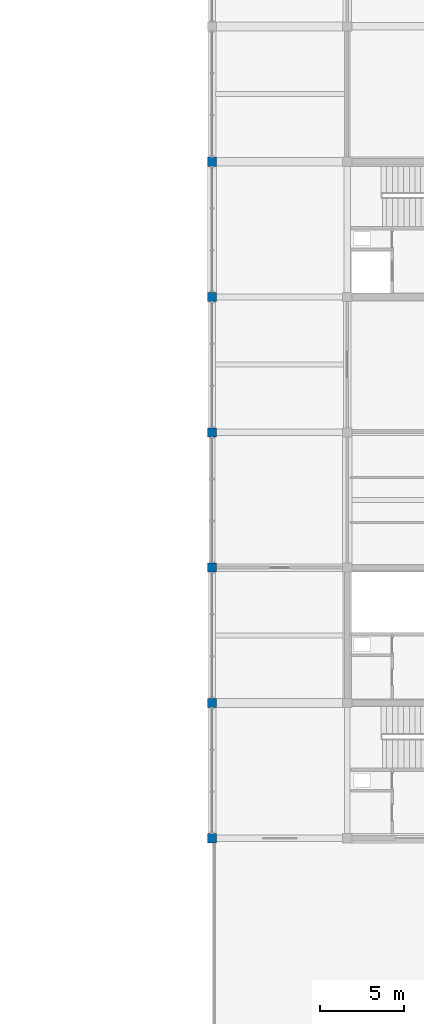
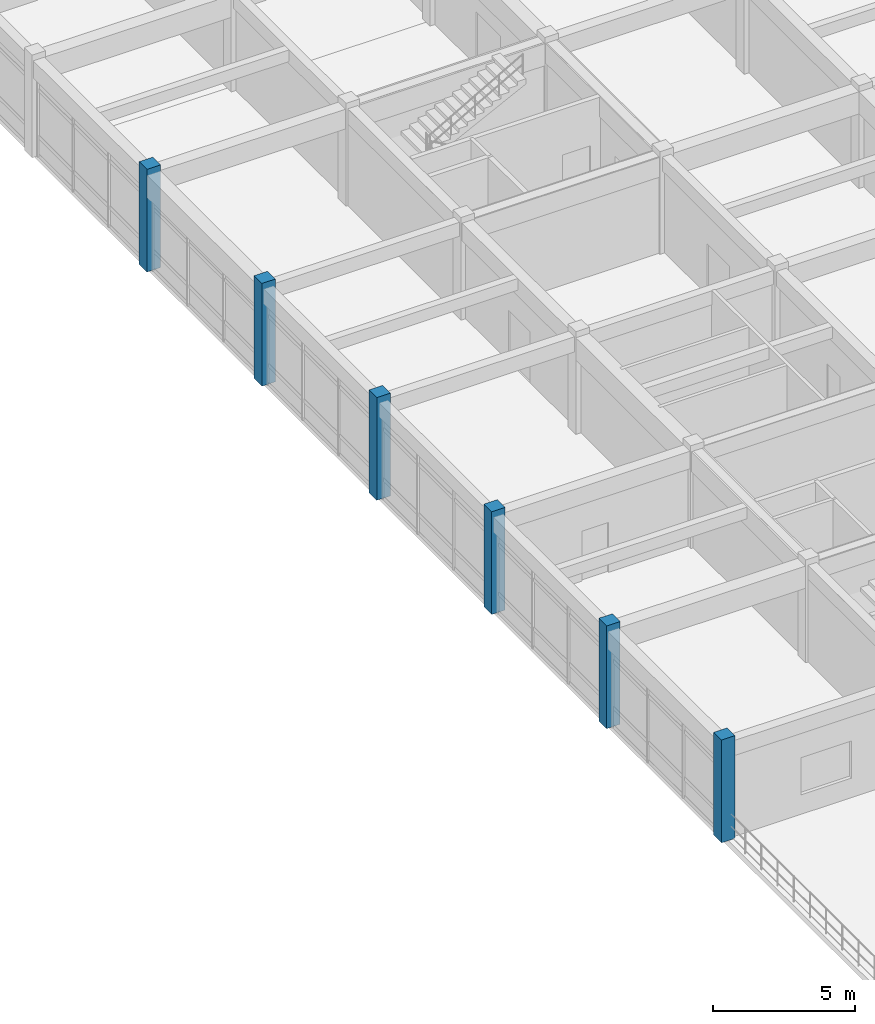
# One storey, part 1 of 33: 6 columns.
"""IFC4 building model written with IfcOpenShell, lengths in metres."""

import ifcopenshell
import ifcopenshell.guid

model = None  # the IFC model being written
_history = None  # IfcOwnerHistory: only IFC2X3 demands one
_inside = {}  # id of a spatial element -> (the spatial element, [elements in it])
_under = {}  # id of a project, library or spatial element -> (it, [spatial elements below it])
_declared = {}  # id of a project -> (the project, [libraries it declares])
_typed = {}  # id of a type object -> (the type object, [elements of that type])
_made_of = {}  # id of a material, layer set ... -> (it, [elements and type objects made of it])


def new_model(schema):
    """Start an empty IFC model of exactly this schema.

    Asked for "IFC4X3", IfcOpenShell would pick the latest addendum, in which some entities
    have other attributes; the version numbers below select the first issue.
    IFC2X3 requires an IfcOwnerHistory on every rooted entity: one is made here for all.
    """
    global model, _history
    if schema == "IFC4X3":
        model = ifcopenshell.file(schema_version=(4, 3, 0, 0))
    else:
        model = ifcopenshell.file(schema=schema)
    _inside.clear()
    _under.clear()
    _declared.clear()
    _typed.clear()
    _made_of.clear()
    _history = None
    if model.schema == "IFC2X3":
        org = make("IfcOrganization", Name="unknown")
        user = make(
            "IfcPersonAndOrganization",
            ThePerson=make("IfcPerson", FamilyName="unknown"),
            TheOrganization=org,
        )
        app = make(
            "IfcApplication",
            ApplicationDeveloper=org,
            Version="unknown",
            ApplicationFullName="unknown",
            ApplicationIdentifier="unknown",
        )
        _history = make(
            "IfcOwnerHistory",
            OwningUser=user,
            OwningApplication=app,
            ChangeAction="ADDED",
            CreationDate=0,
        )
    return model


def make(cls, **values):
    """One entity of the class cls with the attributes given. An attribute that is None is left unset."""
    return model.create_entity(
        cls, **{name: value for name, value in values.items() if value is not None}
    )


def rooted(cls, **values):
    """An entity with a GlobalId (a new one), such as an element, a storey or a relation."""
    return make(cls, GlobalId=ifcopenshell.guid.new(), OwnerHistory=_history, **values)


def si_unit(unit_type, name, prefix=None):
    """IfcSIUnit, for example si_unit("LENGTHUNIT", "METRE", prefix="MILLI")."""
    return make("IfcSIUnit", UnitType=unit_type, Prefix=prefix, Name=name)


def assignment(units):
    """IfcUnitAssignment: the units of a project."""
    return None if units is None else make("IfcUnitAssignment", Units=units)


def point(xyz):
    """IfcCartesianPoint."""
    return None if xyz is None else make("IfcCartesianPoint", Coordinates=xyz)


def direction(xyz):
    """IfcDirection."""
    return None if xyz is None else make("IfcDirection", DirectionRatios=xyz)


def frame(location, z_axis=None, x_axis=None):
    """IfcAxis2Placement3D, a coordinate frame: its origin and axes. An axis left out is left unset."""
    return make(
        "IfcAxis2Placement3D",
        Location=point(location),
        Axis=direction(z_axis),
        RefDirection=direction(x_axis),
    )


def frame_2d(location, x_axis=None):
    """IfcAxis2Placement2D, a coordinate frame in the plane: its origin and x axis."""
    return make(
        "IfcAxis2Placement2D", Location=point(location), RefDirection=direction(x_axis)
    )


def origin():
    """The frame at (0, 0, 0) with its axes left unset."""
    return frame((0.0, 0.0, 0.0))


def origin_2d():
    """The frame at (0, 0) in the plane with its x axis left unset."""
    return frame_2d((0.0, 0.0))


def place(relative_to, where):
    """IfcLocalPlacement: puts the frame where relative to a parent placement (None: the world)."""
    return make(
        "IfcLocalPlacement", PlacementRelTo=relative_to, RelativePlacement=where
    )


def context(
    kind, dimensions, precision=None, world=None, true_north=None, identifier=None
):
    """IfcGeometricRepresentationContext, for example the 3D "Model" context."""
    return make(
        "IfcGeometricRepresentationContext",
        ContextIdentifier=identifier,
        ContextType=kind,
        CoordinateSpaceDimension=dimensions,
        Precision=precision,
        WorldCoordinateSystem=world,
        TrueNorth=true_north,
    )


def subcontext(parent, identifier, kind, view, scale=None):
    """IfcGeometricRepresentationSubContext, for example "Body" below "Model"."""
    return make(
        "IfcGeometricRepresentationSubContext",
        ContextIdentifier=identifier,
        ContextType=kind,
        ParentContext=parent,
        TargetScale=scale,
        TargetView=view,
    )


def project(units=None, contexts=None):
    """IfcProject with its units and contexts."""
    return rooted(
        "IfcProject",
        Name="project",
        RepresentationContexts=contexts,
        UnitsInContext=assignment(units),
    )


def spatial(cls, under=None, at=None, **own):
    """A site, building, storey or space (cls), placed at a placement, below another one or the project."""
    s = rooted(cls, ObjectPlacement=at, **own)
    if under is not None:
        _under.setdefault(under.id(), (under, []))[1].append(s)
    return s


def profile(cls, at=None, kind="AREA", **sizes):
    """A parametric profile (cls). Its sizes go by their IFC names, for example OverallWidth=200.0."""
    return make(cls, ProfileType=kind, Position=at, **sizes)


def rectangle(**sizes):
    """IfcRectangleProfileDef."""
    return profile("IfcRectangleProfileDef", **sizes)


def extrude(swept, where, along, depth):
    """IfcExtrudedAreaSolid: the profile swept, set in the frame where, extruded along a direction by depth."""
    return make(
        "IfcExtrudedAreaSolid",
        SweptArea=swept,
        Position=where,
        ExtrudedDirection=direction(along),
        Depth=depth,
    )


def shape(context_of_items, identifier, shape_type, items):
    """IfcShapeRepresentation: the items that make up one representation, for example the "Body"."""
    return make(
        "IfcShapeRepresentation",
        ContextOfItems=context_of_items,
        RepresentationIdentifier=identifier,
        RepresentationType=shape_type,
        Items=items,
    )


def material(Name=None, Category=None):
    """IfcMaterial."""
    return make("IfcMaterial", Name=Name, Category=Category)


def material_profile(
    of_material, cross_section, Name=None, Category=None, Priority=None
):
    """IfcMaterialProfile: a cross section and its material."""
    return make(
        "IfcMaterialProfile",
        Name=Name,
        Material=of_material,
        Profile=cross_section,
        Priority=Priority,
        Category=Category,
    )


def profile_set(profiles, Name=None, composite=None):
    """IfcMaterialProfileSet."""
    return make(
        "IfcMaterialProfileSet",
        Name=Name,
        MaterialProfiles=profiles,
        CompositeProfile=composite,
    )


def made_of(thing, what):
    """Note that an element or type object is made of a material, layer set ...; save() writes the relation."""
    if what is not None:
        _made_of.setdefault(what.id(), (what, []))[1].append(thing)
    return thing


def type_object(cls, material=None, **own):
    """A type object (cls), such as IfcWallType, which elements share."""
    return made_of(rooted(cls, **own), material)


def element(
    cls,
    number,
    at=None,
    inside=None,
    cuts=None,
    type_object=None,
    material=None,
    context=None,
    identifier="Body",
    shape_type=None,
    held_by="IfcProductDefinitionShape",
    body=None,
    shapes=None,
    **own,
):
    """One element of the class cls, such as IfcWall. Its Tag is "e" and its number.

    at: its placement. inside: the storey or other place that contains it. cuts: it is an
    opening in that element (IfcRelVoidsElement). A single representation is given by context,
    identifier, shape_type and body (its items); several are given by shapes. held_by: the class
    of the entity that holds the representations. save() writes the other relations.
    """
    e = rooted(cls, Tag="e%d" % number, ObjectPlacement=at, **own)
    if body is not None:
        shapes = [shape(context, identifier, shape_type, body)]
    if shapes is not None:
        e.Representation = make(held_by, Representations=shapes)
    if inside is not None:
        _inside.setdefault(inside.id(), (inside, []))[1].append(e)
    if cuts is not None:
        rooted(
            "IfcRelVoidsElement", RelatingBuildingElement=cuts, RelatedOpeningElement=e
        )
    if type_object is not None:
        _typed.setdefault(type_object.id(), (type_object, []))[1].append(e)
    return made_of(e, material)


def aggregate(whole, parts):
    """IfcRelAggregates: a whole, such as a stair, and the parts it consists of."""
    return rooted("IfcRelAggregates", RelatingObject=whole, RelatedObjects=parts)


def save(model, path):
    """Write the relations noted so far, then the file.

    IfcRelAggregates (storeys below a building ...), IfcRelContainedInSpatialStructure (elements
    in a storey), IfcRelDefinesByType, IfcRelAssociatesMaterial and IfcRelDeclares: one each for
    every whole, place, type object, material and project.
    """
    for whole, parts in _under.values():
        aggregate(whole, parts)
    for where, things in _inside.values():
        rooted(
            "IfcRelContainedInSpatialStructure",
            RelatedElements=things,
            RelatingStructure=where,
        )
    for kind, things in _typed.values():
        rooted("IfcRelDefinesByType", RelatedObjects=things, RelatingType=kind)
    for what, things in _made_of.values():
        rooted("IfcRelAssociatesMaterial", RelatedObjects=things, RelatingMaterial=what)
    for by, libraries in _declared.values():
        rooted("IfcRelDeclares", RelatingContext=by, RelatedDefinitions=libraries)
    model.write(path)


model = new_model("IFC4")

# Units and contexts
model_context = context("Model", 3, precision=1e-05, world=origin(), true_north=direction((0.0, 1.0)))
body_context = subcontext(model_context, "Body", "Model", "MODEL_VIEW")
ifc_project = project(units=[si_unit("LENGTHUNIT", "METRE"), si_unit("AREAUNIT", "SQUARE_METRE"), si_unit("VOLUMEUNIT", "CUBIC_METRE"), si_unit("PLANEANGLEUNIT", "RADIAN"), si_unit("MASSUNIT", "GRAM", prefix="KILO")], contexts=[model_context])

# Site, building, storey
site_placement = place(None, origin())
site = spatial("IfcSite", under=ifc_project, at=site_placement, CompositionType="ELEMENT")
building_placement = place(site_placement, origin())
building = spatial("IfcBuilding", under=site, at=building_placement, Name="Vaudrelin Polytechnic", CompositionType="ELEMENT")
storey_placement = place(building_placement, frame((0.0, 0.0, 27.3701171875)))
storey = spatial("IfcBuildingStorey", under=building, at=storey_placement, Name="L06", CompositionType="ELEMENT", Elevation=27.3701171875)

# Columns
ifc_material = material(Name="Concrete 40 MPa", Category="concrete")
ifc_material_profile = material_profile(ifc_material, rectangle(XDim=0.550048828125, YDim=0.550048828125, at=origin_2d()), Name="RC550x550")
ifc_profile_set = profile_set([ifc_material_profile], Name="Concrete 40 MPa")
column_type = type_object("IfcColumnType", Name="COL-C-RC550", PredefinedType="COLUMN", material=ifc_profile_set)
for number, where, z_axis, x_axis, name in (
    (1, (137.699951171875, 32.39990234375, 0.0), (0.0, 0.0, 1.0), (1.0, 0.0, 0.0), "Column L06 18-5"),
    (2, (137.699951171875, 40.5, 0.0), (0.0, 0.0, 1.0), (1.0, 0.0, 0.0), "Column L06 18-6"),
    (3, (137.699951171875, 48.60009765625, 0.0), (0.0, 0.0, 1.0), (1.0, 0.0, 0.0), "Column L06 18-7"),
    (4, (137.699951171875, 56.699951171875, 0.0), (0.0, 0.0, 1.0), (1.0, 0.0, 0.0), "Column L06 18-8"),
    (5, (137.699951171875, 64.800048828125, 0.0), (0.0, 0.0, 1.0), (1.0, 0.0, 0.0), "Column L06 18-9"),
    (6, (137.699951171875, 72.89990234375, 0.0), (0.0, 0.0, 1.0), (1.0, 0.0, 0.0), "Column L06 18-10"),
):
    element("IfcColumn", number, at=place(storey_placement, frame(where, z_axis=z_axis, x_axis=x_axis)), inside=storey, type_object=column_type, Name=name, PredefinedType="COLUMN", context=body_context, shape_type="SweptSolid", body=[
        extrude(rectangle(XDim=0.550048828125, YDim=0.550048828125, at=origin_2d()), origin(), (0.0, 0.0, 1.0), 4.419921875),
    ])

save(model, "model.ifc")
